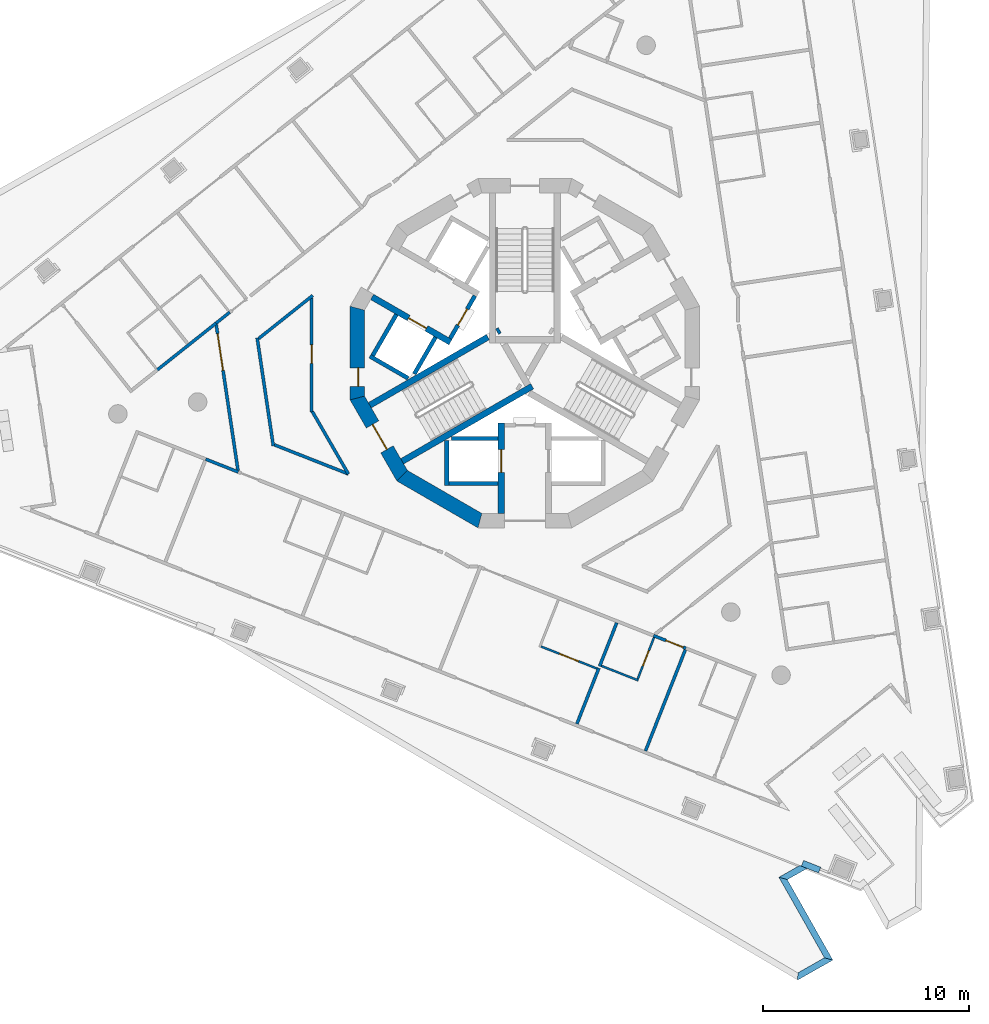
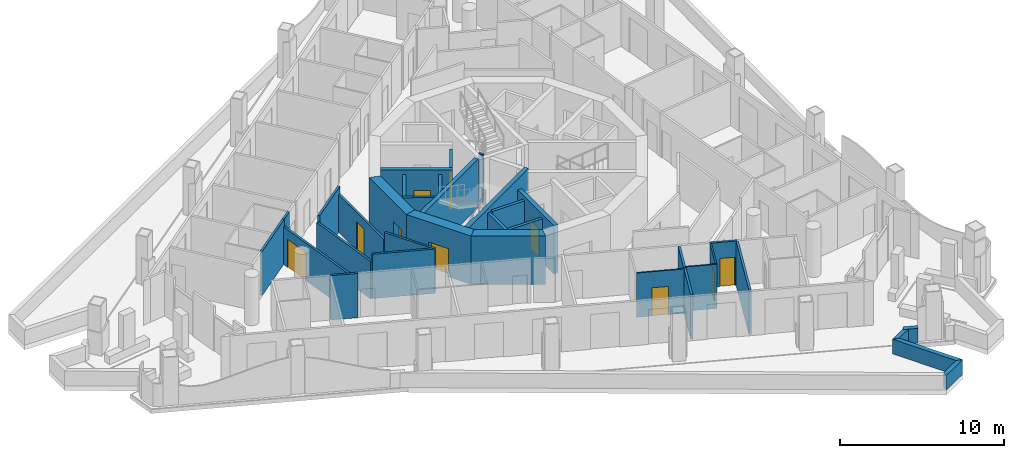
# One storey, part 3 of 16: 35 walls, 10 doors, 10 openings.
"""IFC4 building model written with IfcOpenShell, lengths in metres."""

from ifc_helpers import new_model, si_unit, direction, frame, frame_2d, origin, place, context, subcontext, project, spatial, polyline, rectangle, outline, extrude, material, layer, layer_set, type_object, element, fill, save


model = new_model("IFC4")

# Units and contexts
model_context = context("Model", 3, precision=1e-05, world=origin(), true_north=direction((0.0, 1.0)))
body_context = subcontext(model_context, "Body", "Model", "MODEL_VIEW")
ifc_project = project(units=[si_unit("LENGTHUNIT", "METRE"), si_unit("AREAUNIT", "SQUARE_METRE"), si_unit("VOLUMEUNIT", "CUBIC_METRE"), si_unit("PLANEANGLEUNIT", "RADIAN"), si_unit("MASSUNIT", "GRAM", prefix="KILO")], contexts=[model_context])

# Site, building, storey
site_placement = place(None, origin())
site = spatial("IfcSite", under=ifc_project, at=site_placement, CompositionType="ELEMENT")
building_placement = place(site_placement, origin())
building = spatial("IfcBuilding", under=site, at=building_placement, Name="Trine Commons Tower", CompositionType="ELEMENT")
storey_placement = place(building_placement, frame((0.0, 0.0, 198.0)))
storey = spatial("IfcBuildingStorey", under=building, at=storey_placement, Name="L51", CompositionType="ELEMENT", Elevation=198.0)

# Wall, opening, door
ifc_material_1 = material(Name="Fire-rated gypsum shaft wall system")
ifc_layer_1 = layer(ifc_material_1, 0.199951171875)
ifc_layer_set_1 = layer_set([ifc_layer_1], Name="Fire-rated gypsum shaft wall system")
wall_type_1 = type_object("IfcWallType", Name="Lobby end wall 200 mm, EI 120", PredefinedType="PARTITIONING", material=ifc_layer_set_1)
wall_1_placement = place(storey_placement, frame((77.569091796875, 65.2890625, 0.0), z_axis=(0.0, 0.0, 1.0), x_axis=(-0.50012165622, -0.865955154139, 0.0)))
wall_1 = element("IfcWall", 1, at=wall_1_placement, inside=storey, type_object=wall_type_1, Name="Lobby end wall L51", PredefinedType="PARTITIONING", context=body_context, shape_type="SweptSolid", body=[
    extrude(rectangle(XDim=2.39990234375, YDim=0.199951171875, at=frame_2d((1.199951171875, 0.0))), origin(), (0.0, 0.0, 1.0), 3.300048828125),
])
opening_1_placement = place(wall_1_placement, frame((0.749755859375, 0.0, 0.0)))
opening_1 = element("IfcOpeningElement", 2, at=opening_1_placement, cuts=wall_1, Name="Opening K15.07", PredefinedType="OPENING", context=body_context, shape_type="SweptSolid", body=[
    extrude(rectangle(XDim=0.89990234375, YDim=2.10009765625, at=frame_2d((0.449951171875, 1.050048828125))), frame((0.0, 0.10986328125, 0.0), z_axis=(0.0, -1.0, 0.0), x_axis=(1.0, 0.0, 0.0)), (0.0, 0.0, 1.0), 0.219970703125),
])
ifc_material_2 = material(Name="Steel door leaf, fire-rated", Category="steel")
door_type_1 = type_object("IfcDoorType", Name="Riser access door, single leaf 900 x 2100, FD60", OperationType="SINGLE_SWING_LEFT", PredefinedType="DOOR", material=ifc_material_2)
door_1_placement = place(opening_1_placement, frame((0.89990234375, 0.0, 0.0), z_axis=(0.0, 0.0, 1.0), x_axis=(-1.0, 0.0, 0.0)))
door_1 = element("IfcDoor", 3, at=door_1_placement, inside=storey, type_object=door_type_1, Name="Riser door, Mechanical riser L51", OperationType="SINGLE_SWING_RIGHT", OverallHeight=2.10009765625, OverallWidth=0.89990234375, PredefinedType="DOOR", context=body_context, shape_type="SweptSolid", body=[
    extrude(rectangle(XDim=0.89990234375, YDim=2.10009765625, at=frame_2d((0.449951171875, 1.050048828125))), frame((0.0, 0.02490234375, 0.0), z_axis=(0.0, -1.0, 0.0), x_axis=(1.0, 0.0, 0.0)), (0.0, 0.0, 1.0), 0.050048828125),
])
fill(opening_1, door_1)

ifc_material_3 = material(Name="Concrete C60/75", Category="concrete")
ifc_layer_2 = layer(ifc_material_3, 0.300048828125)
ifc_layer_set_2 = layer_set([ifc_layer_2], Name="Concrete C60/75")
wall_type_2 = type_object("IfcWallType", Name="RC shear wall 300 mm, C60/75", PredefinedType="SHEAR", material=ifc_layer_set_2)
wall_2_placement = place(storey_placement, frame((76.381103515625, 63.031005859375, 0.0), z_axis=(0.0, 0.0, 1.0), x_axis=(-0.866059941101, 0.499940174841, 0.0)))
wall_2 = element("IfcWall", 4, at=wall_2_placement, inside=storey, type_object=wall_type_2, Name="Core cross wall SWC-01 L51", PredefinedType="SHEAR", context=body_context, shape_type="SweptSolid", body=[
    extrude(rectangle(XDim=4.400390625, YDim=0.300048828125, at=frame_2d((2.2001953125, 0.0))), origin(), (0.0, 0.0, 1.0), 3.60009765625),
])
opening_2_placement = place(wall_2_placement, frame((1.350341796875, 0.0, 0.0)))
opening_2 = element("IfcOpeningElement", 5, at=opening_2_placement, cuts=wall_2, Name="Opening LD7", PredefinedType="OPENING", context=body_context, shape_type="SweptSolid", body=[
    extrude(rectangle(XDim=1.0, YDim=2.10009765625, at=frame_2d((0.5, 1.050048828125))), frame((0.0, 0.159912109375, 0.0), z_axis=(0.0, -1.0, 0.0), x_axis=(1.0, 0.0, 0.0)), (0.0, 0.0, 1.0), 0.320068359375),
])
ifc_material_4 = material(Name="Stainless steel sliding door leaves", Category="steel")
door_type_2 = type_object("IfcDoorType", Name="Lift landing door, centre-opening sliding 1000 x 2100, FD90", OperationType="DOUBLE_DOOR_SLIDING", PredefinedType="DOOR", material=ifc_material_4)
door_2_placement = place(opening_2_placement, origin())
door_2 = element("IfcDoor", 6, at=door_2_placement, inside=storey, type_object=door_type_2, Name="Lift landing door HR3 L51", OperationType="DOUBLE_DOOR_SLIDING", OverallHeight=2.10009765625, OverallWidth=1.0, PredefinedType="DOOR", context=body_context, shape_type="SweptSolid", body=[
    extrude(rectangle(XDim=1.0, YDim=2.10009765625, at=frame_2d((0.5, 1.050048828125))), frame((0.0, 0.02490234375, 0.0), z_axis=(0.0, -1.0, 0.0), x_axis=(1.0, 0.0, 0.0)), (0.0, 0.0, 1.0), 0.050048828125),
])
fill(opening_2, door_2)

wall_3_placement = place(storey_placement, frame((78.85009765625, 59.10009765625, 0.0), z_axis=(0.0, 0.0, 1.0), x_axis=(0.0, -1.0, 0.0)))
wall_3 = element("IfcWall", 7, at=wall_3_placement, inside=storey, type_object=wall_type_2, Name="Core cross wall SWC-03 L51", PredefinedType="SHEAR", context=body_context, shape_type="SweptSolid", body=[
    extrude(rectangle(XDim=4.400146484375, YDim=0.300048828125, at=frame_2d((2.2001953125, 0.0))), origin(), (0.0, 0.0, 1.0), 3.60009765625),
])
opening_3_placement = place(wall_3_placement, frame((1.300048828125, 0.0, 0.0)))
opening_3 = element("IfcOpeningElement", 8, at=opening_3_placement, cuts=wall_3, Name="Opening LD10", PredefinedType="OPENING", context=body_context, shape_type="SweptSolid", body=[
    extrude(rectangle(XDim=1.10009765625, YDim=2.10009765625, at=frame_2d((0.550048828125, 1.050048828125))), frame((0.0, 0.159912109375, 0.0), z_axis=(0.0, -1.0, 0.0), x_axis=(1.0, 0.0, 0.0)), (0.0, 0.0, 1.0), 0.320068359375),
])
door_type_3 = type_object("IfcDoorType", Name="Lift landing door, centre-opening sliding 1100 x 2100, FD90", OperationType="DOUBLE_DOOR_SLIDING", PredefinedType="DOOR", material=ifc_material_4)
door_3_placement = place(opening_3_placement, origin())
door_3 = element("IfcDoor", 9, at=door_3_placement, inside=storey, type_object=door_type_3, Name="Lift landing door FF2 L51", OperationType="DOUBLE_DOOR_SLIDING", OverallHeight=2.10009765625, OverallWidth=1.10009765625, PredefinedType="DOOR", context=body_context, shape_type="SweptSolid", body=[
    extrude(rectangle(XDim=1.10009765625, YDim=2.10009765625, at=frame_2d((0.550048828125, 1.050048828125))), frame((0.0, 0.02490234375, 0.0), z_axis=(0.0, -1.0, 0.0), x_axis=(1.0, 0.0, 0.0)), (0.0, 0.0, 1.0), 0.050048828125),
])
fill(opening_3, door_3)

# Walls
wall_4_placement = place(storey_placement, frame((78.199951171875, 63.280029296875, 0.0), z_axis=(0.0, 0.0, 1.0), x_axis=(-0.866009627307, -0.500027324665, 0.0)))
element("IfcWall", 10, at=wall_4_placement, inside=storey, type_object=wall_type_2, Name="Core cross wall SWC-07 L51", PredefinedType="SHEAR", context=body_context, shape_type="SweptSolid", body=[
    extrude(rectangle(XDim=6.631591796875, YDim=0.300048828125, at=frame_2d((3.31591796875, 0.0))), origin(), (0.0, 0.0, 1.0), 3.60009765625),
])
wall_5_placement = place(storey_placement, frame((78.779052734375, 63.614013671875, 0.0), z_axis=(0.0, 0.0, 1.0), x_axis=(-0.867737973955, -0.497021939713, 0.0)))
element("IfcWall", 11, at=wall_5_placement, inside=storey, type_object=wall_type_2, Name="Core cross wall SWC-09 L51", PredefinedType="SHEAR", context=body_context, shape_type="SweptSolid", body=[
    extrude(rectangle(XDim=0.14892578125, YDim=0.300048828125, at=frame_2d((0.074462890625, 0.0))), origin(), (0.0, 0.0, 1.0), 3.60009765625),
])
wall_6_placement = place(storey_placement, frame((80.35400390625, 60.885986328125, 0.0), z_axis=(0.0, 0.0, 1.0), x_axis=(-0.866032430508, -0.49998782916, 0.0)))
element("IfcWall", 12, at=wall_6_placement, inside=storey, type_object=wall_type_2, Name="Core cross wall SWC-14 L51", PredefinedType="SHEAR", context=body_context, shape_type="SweptSolid", body=[
    extrude(rectangle(XDim=7.300048828125, YDim=0.300048828125, at=frame_2d((3.64990234375, 0.0))), origin(), (0.0, 0.0, 1.0), 3.60009765625),
])

# Wall, opening, door
ifc_layer_3 = layer(ifc_material_3, 0.699951171875)
ifc_layer_set_3 = layer_set([ifc_layer_3], Name="Concrete C60/75")
wall_type_3 = type_object("IfcWallType", Name="RC shear wall 700 mm, C60/75", PredefinedType="SHEAR", material=ifc_layer_set_3)
wall_7_placement = place(storey_placement, frame((71.849853515625, 64.777587890625, 0.0), z_axis=(0.0, 0.0, 1.0), x_axis=(0.0, -1.0, 0.0)))
wall_7 = element("IfcWall", 13, at=wall_7_placement, inside=storey, type_object=wall_type_3, Name="Core wall CWF-07 L51", PredefinedType="SHEAR", context=body_context, shape_type="SweptSolid", body=[
    extrude(outline(polyline([(0.0, -0.35009765625), (4.55517578125, -0.35009765625), (4.36767578125, 0.35009765625), (0.1875, 0.35009765625), (0.0, -0.35009765625)])), origin(), (0.0, 0.0, 1.0), 3.60009765625),
])
opening_4_placement = place(wall_7_placement, frame((2.99169921875, 0.0, 0.0)))
opening_4 = element("IfcOpeningElement", 14, at=opening_4_placement, cuts=wall_7, Name="Opening K15.16", PredefinedType="OPENING", context=body_context, shape_type="SweptSolid", body=[
    extrude(rectangle(XDim=0.89990234375, YDim=2.10009765625, at=frame_2d((0.449951171875, 1.050048828125))), frame((0.0, 0.35986328125, 0.0), z_axis=(0.0, -1.0, 0.0), x_axis=(1.0, 0.0, 0.0)), (0.0, 0.0, 1.0), 0.719970703125),
])
door_type_4 = type_object("IfcDoorType", Name="Core room door, single leaf 900 x 2100, FD30S", OperationType="SINGLE_SWING_LEFT", PredefinedType="DOOR", material=ifc_material_2)
door_4_placement = place(opening_4_placement, origin())
door_4 = element("IfcDoor", 15, at=door_4_placement, inside=storey, type_object=door_type_4, Name="Door to Pantry L51", OperationType="SINGLE_SWING_RIGHT", OverallHeight=2.10009765625, OverallWidth=0.89990234375, PredefinedType="DOOR", context=body_context, shape_type="SweptSolid", body=[
    extrude(rectangle(XDim=0.89990234375, YDim=2.10009765625, at=frame_2d((0.449951171875, 1.050048828125))), frame((0.0, 0.0751953125, 0.0), z_axis=(0.0, -1.0, 0.0), x_axis=(1.0, 0.0, 0.0)), (0.0, 0.0, 1.0), 0.050048828125),
])
fill(opening_4, door_4)

wall_8_placement = place(storey_placement, frame((71.802978515625, 60.3974609375, 0.0), z_axis=(0.0, 0.0, 1.0), x_axis=(0.499983800959, -0.866034756103, 0.0)))
wall_8 = element("IfcWall", 16, at=wall_8_placement, inside=storey, type_object=wall_type_3, Name="Core wall CWF-08 L51", PredefinedType="SHEAR", context=body_context, shape_type="SweptSolid", body=[
    extrude(outline(polyline([(0.0, -0.35009765625), (4.55517578125, -0.35009765625), (4.36767578125, 0.35009765625), (0.1875, 0.35009765625), (0.0, -0.35009765625)])), origin(), (0.0, 0.0, 1.0), 3.60009765625),
])
opening_5_placement = place(wall_8_placement, frame((1.577392578125, 0.0, 0.0)))
opening_5 = element("IfcOpeningElement", 17, at=opening_5_placement, cuts=wall_8, Name="Opening K15.02", PredefinedType="OPENING", context=body_context, shape_type="SweptSolid", body=[
    extrude(rectangle(XDim=1.39990234375, YDim=2.10009765625, at=frame_2d((0.699951171875, 1.050048828125))), frame((0.0, 0.35986328125, 0.0), z_axis=(0.0, -1.0, 0.0), x_axis=(1.0, 0.0, 0.0)), (0.0, 0.0, 1.0), 0.719970703125),
])
ifc_material_5 = material(Name="Steel door leaves, fire-rated", Category="steel")
door_type_5 = type_object("IfcDoorType", Name="Stair door, double leaf 1400 x 2100, FD90", OperationType="DOUBLE_DOOR_SINGLE_SWING", PredefinedType="DOOR", material=ifc_material_5)
door_5_placement = place(opening_5_placement, origin())
door_5 = element("IfcDoor", 18, at=door_5_placement, inside=storey, type_object=door_type_5, Name="Stair door to Exit stair ST2C L51", OperationType="DOUBLE_DOOR_SINGLE_SWING", OverallHeight=2.10009765625, OverallWidth=1.39990234375, PredefinedType="DOOR", context=body_context, shape_type="SweptSolid", body=[
    extrude(rectangle(XDim=1.39990234375, YDim=2.10009765625, at=frame_2d((0.699951171875, 1.050048828125))), frame((0.0, 0.02490234375, 0.0), z_axis=(0.0, -1.0, 0.0), x_axis=(1.0, 0.0, 0.0)), (0.0, 0.0, 1.0), 0.050048828125),
])
fill(opening_5, door_5)

# Walls
wall_9_placement = place(storey_placement, frame((73.952392578125, 56.58056640625, 0.0), z_axis=(0.0, 0.0, 1.0), x_axis=(0.866034756103, -0.499983800959, 0.0)))
element("IfcWall", 19, at=wall_9_placement, inside=storey, type_object=wall_type_3, Name="Core wall CWF-09 L51", PredefinedType="SHEAR", context=body_context, shape_type="SweptSolid", body=[
    extrude(outline(polyline([(0.0, -0.35009765625), (4.55517578125, -0.35009765625), (4.36767578125, 0.35009765625), (0.1875, 0.35009765625), (0.0, -0.35009765625)])), origin(), (0.0, 0.0, 1.0), 3.60009765625),
])
ifc_layer_4 = layer(ifc_material_1, 0.199951171875)
ifc_layer_set_4 = layer_set([ifc_layer_4], Name="Fire-rated gypsum shaft wall system")
wall_type_4 = type_object("IfcWallType", Name="Shaft wall 200 mm, EI 120", PredefinedType="PARTITIONING", material=ifc_layer_set_4)
wall_10_placement = place(storey_placement, frame((73.7509765625, 64.3759765625, 0.0), z_axis=(0.0, 0.0, 1.0), x_axis=(-0.500136062276, -0.86594683394, 0.0)))
element("IfcWall", 20, at=wall_10_placement, inside=storey, type_object=wall_type_4, Name="Shaft wall L51", PredefinedType="PARTITIONING", context=body_context, shape_type="SweptSolid", body=[
    extrude(rectangle(XDim=2.299072265625, YDim=0.199951171875, at=frame_2d((1.1494140625, 0.0))), origin(), (0.0, 0.0, 1.0), 3.300048828125),
])
wall_11_placement = place(storey_placement, frame((74.324951171875, 61.27392578125, 0.0), z_axis=(0.0, 0.0, 1.0), x_axis=(-0.866102336459, 0.499866725018, 0.0)))
element("IfcWall", 21, at=wall_11_placement, inside=storey, type_object=wall_type_4, Name="Shaft wall L51", PredefinedType="PARTITIONING", context=body_context, shape_type="SweptSolid", body=[
    extrude(rectangle(XDim=2.1484375, YDim=0.199951171875, at=frame_2d((1.07421875, 0.0))), origin(), (0.0, 0.0, 1.0), 3.300048828125),
])
wall_12_placement = place(storey_placement, frame((75.656005859375, 63.27587890625, 0.0), z_axis=(0.0, 0.0, 1.0), x_axis=(-0.500271688072, -0.86586848777, 0.0)))
element("IfcWall", 22, at=wall_12_placement, inside=storey, type_object=wall_type_4, Name="Shaft wall L51", PredefinedType="PARTITIONING", context=body_context, shape_type="SweptSolid", body=[
    extrude(rectangle(XDim=2.064697265625, YDim=0.199951171875, at=frame_2d((1.0322265625, 0.0))), origin(), (0.0, 0.0, 1.0), 3.300048828125),
])
wall_13_placement = place(storey_placement, frame((76.199951171875, 58.257080078125, 0.0), z_axis=(0.0, 0.0, 1.0), x_axis=(0.0, -1.0, 0.0)))
element("IfcWall", 23, at=wall_13_placement, inside=storey, type_object=wall_type_4, Name="Shaft wall L51", PredefinedType="PARTITIONING", context=body_context, shape_type="SweptSolid", body=[
    extrude(rectangle(XDim=2.20703125, YDim=0.199951171875, at=frame_2d((1.103515625, 0.0))), origin(), (0.0, 0.0, 1.0), 3.300048828125),
])
wall_14_placement = place(storey_placement, frame((78.699951171875, 56.14990234375, 0.0), z_axis=(0.0, 0.0, 1.0), x_axis=(-1.0, 0.0, 0.0)))
element("IfcWall", 24, at=wall_14_placement, inside=storey, type_object=wall_type_4, Name="Shaft wall L51", PredefinedType="PARTITIONING", context=body_context, shape_type="SweptSolid", body=[
    extrude(rectangle(XDim=2.39990234375, YDim=0.199951171875, at=frame_2d((1.199951171875, 0.0))), origin(), (0.0, 0.0, 1.0), 3.300048828125),
])
wall_15_placement = place(storey_placement, frame((78.699951171875, 58.35009765625, 0.0), z_axis=(0.0, 0.0, 1.0), x_axis=(-1.0, 0.0, 0.0)))
element("IfcWall", 25, at=wall_15_placement, inside=storey, type_object=wall_type_4, Name="Shaft wall L51", PredefinedType="PARTITIONING", context=body_context, shape_type="SweptSolid", body=[
    extrude(rectangle(XDim=2.264892578125, YDim=0.199951171875, at=frame_2d((1.13232421875, 0.0))), origin(), (0.0, 0.0, 1.0), 3.300048828125),
])
ifc_material_6 = material(Name="Limestone, honed", Category="masonry")
ifc_layer_5 = layer(ifc_material_6, 0.300048828125)
ifc_layer_set_5 = layer_set([ifc_layer_5], Name="Limestone, honed")
wall_type_5 = type_object("IfcWallType", Name="Stone parapet 300", PredefinedType="PARAPET", material=ifc_layer_set_5)
wall_16_placement = place(storey_placement, origin())
element("IfcWall", 26, at=wall_16_placement, inside=storey, type_object=wall_type_5, Name="Sliver roof parapet L50 3.2", PredefinedType="PARAPET", context=body_context, shape_type="SweptSolid", body=[
    extrude(outline(polyline([(93.27197265625, 32.007080078125), (94.9814453125, 32.974365234375), (94.572509765625, 33.087646484375), (93.27490234375, 32.353515625), (93.27197265625, 32.007080078125)])), origin(), (0.0, 0.0, 1.0), 1.10009765625),
])
wall_17_placement = place(storey_placement, origin())
element("IfcWall", 27, at=wall_17_placement, inside=storey, type_object=wall_type_5, Name="Sliver roof parapet L50 3.3", PredefinedType="PARAPET", context=body_context, shape_type="SweptSolid", body=[
    extrude(outline(polyline([(94.9814453125, 32.974365234375), (92.765380859375, 36.890869140625), (92.356689453125, 37.00439453125), (94.572509765625, 33.087646484375), (94.9814453125, 32.974365234375)])), origin(), (0.0, 0.0, 1.0), 1.10009765625),
])
wall_18_placement = place(storey_placement, origin())
element("IfcWall", 28, at=wall_18_placement, inside=storey, type_object=wall_type_5, Name="Sliver roof parapet L50 3.4", PredefinedType="PARAPET", context=body_context, shape_type="SweptSolid", body=[
    extrude(outline(polyline([(92.765380859375, 36.890869140625), (93.7265625, 37.4345703125), (93.367431640625, 37.576171875), (92.356689453125, 37.00439453125), (92.765380859375, 36.890869140625)])), origin(), (0.0, 0.0, 1.0), 1.10009765625),
])
wall_19_placement = place(storey_placement, origin())
element("IfcWall", 29, at=wall_19_placement, inside=storey, type_object=wall_type_5, Name="Sliver roof parapet extension L50 3.X2", PredefinedType="PARAPET", context=body_context, shape_type="SweptSolid", body=[
    extrude(outline(polyline([(93.557373046875, 37.82373046875), (93.447509765625, 37.544677734375), (94.284912109375, 37.214599609375), (94.394775390625, 37.493896484375), (93.557373046875, 37.82373046875)])), origin(), (0.0, 0.0, 1.0), 1.10009765625),
])
ifc_material_7 = material(Name="Gypsum plasterboard on steel stud", Category="steel")
ifc_layer_6 = layer(ifc_material_7, 0.14990234375)
ifc_layer_set_6 = layer_set([ifc_layer_6], Name="Gypsum plasterboard on steel stud")
wall_type_6 = type_object("IfcWallType", Name="Unit and corridor wall 150 mm, EI 60", PredefinedType="PARTITIONING", material=ifc_layer_set_6)
wall_20_placement = place(storey_placement, frame((62.078857421875, 61.64990234375, 0.0), z_axis=(0.0, 0.0, 1.0), x_axis=(0.782654359685, 0.622456547291, 0.0)))
element("IfcWall", 30, at=wall_20_placement, inside=storey, type_object=wall_type_6, Name="Partition 011", PredefinedType="PARTITIONING", context=body_context, shape_type="SweptSolid", body=[
    extrude(rectangle(XDim=3.701904296875, YDim=0.14990234375, at=frame_2d((1.85107421875, 0.0))), origin(), (0.0, 0.0, 1.0), 3.300048828125),
])
wall_21_placement = place(storey_placement, frame((64.47802734375, 57.340087890625, 0.0), z_axis=(0.0, 0.0, 1.0), x_axis=(0.930289512217, -0.366826148822, 0.0)))
element("IfcWall", 31, at=wall_21_placement, inside=storey, type_object=wall_type_6, Name="Partition 016", PredefinedType="PARTITIONING", context=body_context, shape_type="SweptSolid", body=[
    extrude(rectangle(XDim=1.698486328125, YDim=0.14990234375, at=frame_2d((0.84912109375, 0.0))), origin(), (0.0, 0.0, 1.0), 3.300048828125),
])
wall_22_placement = place(storey_placement, frame((64.97607421875, 63.9541015625, 0.0), z_axis=(0.0, 0.0, 1.0), x_axis=(0.78256315963, 0.622571201703, 0.0)))
element("IfcWall", 32, at=wall_22_placement, inside=storey, type_object=wall_type_6, Name="Partition 017", PredefinedType="PARTITIONING", context=body_context, shape_type="SweptSolid", body=[
    extrude(rectangle(XDim=0.85595703125, YDim=0.14990234375, at=frame_2d((0.427978515625, 0.0))), origin(), (0.0, 0.0, 1.0), 3.300048828125),
])

# Wall, opening, door
wall_23_placement = place(storey_placement, frame((64.987060546875, 63.8798828125, 0.0), z_axis=(0.0, 0.0, 1.0), x_axis=(0.147865724858, -0.98900744558, 0.0)))
wall_23 = element("IfcWall", 33, at=wall_23_placement, inside=storey, type_object=wall_type_6, Name="Partition 018", PredefinedType="PARTITIONING", context=body_context, shape_type="SweptSolid", body=[
    extrude(rectangle(XDim=7.16748046875, YDim=0.14990234375, at=frame_2d((3.583740234375, 0.0))), origin(), (0.0, 0.0, 1.0), 2.800048828125),
])
opening_6_placement = place(wall_23_placement, frame((0.44677734375, 0.0, 0.0)))
opening_6 = element("IfcOpeningElement", 34, at=opening_6_placement, cuts=wall_23, Name="Opening D-6A03", PredefinedType="OPENING", context=body_context, shape_type="SweptSolid", body=[
    extrude(rectangle(XDim=1.800048828125, YDim=2.10009765625, at=frame_2d((0.89990234375, 1.050048828125))), frame((0.0, 0.0849609375, 0.0), z_axis=(0.0, -1.0, 0.0), x_axis=(1.0, 0.0, 0.0)), (0.0, 0.0, 1.0), 0.169921875),
])
ifc_material_8 = material(Name="Timber fire door set", Category="wood")
door_type_6 = type_object("IfcDoorType", Name="Cluster entrance door 1800 x 2100, double leaf, FD30S", OperationType="DOUBLE_DOOR_DOUBLE_SWING", PredefinedType="DOOR", material=ifc_material_8)
door_6_placement = place(opening_6_placement, frame((1.800048828125, 0.0, 0.0), z_axis=(0.0, 0.0, 1.0), x_axis=(-1.0, 0.0, 0.0)))
door_6 = element("IfcDoor", 35, at=door_6_placement, inside=storey, type_object=door_type_6, Name="Door D-6A03", OperationType="DOUBLE_DOOR_DOUBLE_SWING", OverallHeight=2.10009765625, OverallWidth=1.800048828125, PredefinedType="DOOR", context=body_context, shape_type="SweptSolid", body=[
    extrude(rectangle(XDim=1.800048828125, YDim=2.10009765625, at=frame_2d((0.89990234375, 1.050048828125))), frame((0.0, 0.02490234375, 0.0), z_axis=(0.0, -1.0, 0.0), x_axis=(1.0, 0.0, 0.0)), (0.0, 0.0, 1.0), 0.050048828125),
])
fill(opening_6, door_6)

# Walls
wall_24_placement = place(storey_placement, frame((66.97998046875, 63.234130859375, 0.0), z_axis=(0.0, 0.0, 1.0), x_axis=(0.14773017043, -0.989027702719, 0.0)))
element("IfcWall", 36, at=wall_24_placement, inside=storey, type_object=wall_type_6, Name="Partition 024", PredefinedType="PARTITIONING", context=body_context, shape_type="SweptSolid", body=[
    extrude(rectangle(XDim=5.301513671875, YDim=0.14990234375, at=frame_2d((2.65087890625, 0.0))), origin(), (0.0, 0.0, 1.0), 2.800048828125),
])
wall_25_placement = place(storey_placement, frame((67.0498046875, 63.206787109375, 0.0), z_axis=(0.0, 0.0, 1.0), x_axis=(0.782472540885, 0.622685091166, 0.0)))
element("IfcWall", 37, at=wall_25_placement, inside=storey, type_object=wall_type_6, Name="Partition 025", PredefinedType="PARTITIONING", context=body_context, shape_type="SweptSolid", body=[
    extrude(rectangle(XDim=3.365966796875, YDim=0.14990234375, at=frame_2d((1.68310546875, 0.0))), origin(), (0.0, 0.0, 1.0), 3.300048828125),
])
wall_26_placement = place(storey_placement, frame((67.82177734375, 58.03759765625, 0.0), z_axis=(0.0, 0.0, 1.0), x_axis=(0.930426693307, -0.366478059892, 0.0)))
element("IfcWall", 38, at=wall_26_placement, inside=storey, type_object=wall_type_6, Name="Partition 026", PredefinedType="PARTITIONING", context=body_context, shape_type="SweptSolid", body=[
    extrude(rectangle(XDim=3.85986328125, YDim=0.14990234375, at=frame_2d((1.929931640625, 0.0))), origin(), (0.0, 0.0, 1.0), 3.300048828125),
])

# Wall, opening, door
wall_27_placement = place(storey_placement, frame((69.625, 59.64501953125, 0.0), z_axis=(0.0, 0.0, 1.0), x_axis=(0.0, 1.0, 0.0)))
wall_27 = element("IfcWall", 39, at=wall_27_placement, inside=storey, type_object=wall_type_6, Name="Partition 032", PredefinedType="PARTITIONING", context=body_context, shape_type="SweptSolid", body=[
    extrude(rectangle(XDim=5.5400390625, YDim=0.14990234375, at=frame_2d((2.77001953125, 0.0))), origin(), (0.0, 0.0, 1.0), 2.800048828125),
])
opening_7_placement = place(wall_27_placement, frame((2.357421875, 0.0, 0.0)))
opening_7 = element("IfcOpeningElement", 40, at=opening_7_placement, cuts=wall_27, Name="Opening D-6A28", PredefinedType="OPENING", context=body_context, shape_type="SweptSolid", body=[
    extrude(rectangle(XDim=0.89990234375, YDim=2.10009765625, at=frame_2d((0.449951171875, 1.050048828125))), frame((0.0, 0.0849609375, 0.0), z_axis=(0.0, -1.0, 0.0), x_axis=(1.0, 0.0, 0.0)), (0.0, 0.0, 1.0), 0.169921875),
])
door_type_7 = type_object("IfcDoorType", Name="Service door 900 x 2100, FD30S", OperationType="NOTDEFINED", PredefinedType="DOOR", material=ifc_material_8)
door_7_placement = place(opening_7_placement, origin())
door_7 = element("IfcDoor", 41, at=door_7_placement, inside=storey, type_object=door_type_7, Name="Door D-6A28", OperationType="SINGLE_SWING_RIGHT", OverallHeight=2.10009765625, OverallWidth=0.89990234375, PredefinedType="DOOR", context=body_context, shape_type="SweptSolid", body=[
    extrude(rectangle(XDim=0.89990234375, YDim=2.10009765625, at=frame_2d((0.449951171875, 1.050048828125))), frame((0.0, 0.02490234375, 0.0), z_axis=(0.0, -1.0, 0.0), x_axis=(1.0, 0.0, 0.0)), (0.0, 0.0, 1.0), 0.050048828125),
])
fill(opening_7, door_7)

# Walls
wall_28_placement = place(storey_placement, frame((69.66259765625, 59.655029296875, 0.0), z_axis=(0.0, 0.0, 1.0), x_axis=(0.50005009493, -0.865996479531, 0.0)))
element("IfcWall", 42, at=wall_28_placement, inside=storey, type_object=wall_type_6, Name="Partition 033", PredefinedType="PARTITIONING", context=body_context, shape_type="SweptSolid", body=[
    extrude(rectangle(XDim=3.504638671875, YDim=0.14990234375, at=frame_2d((1.75244140625, 0.0))), origin(), (0.0, 0.0, 1.0), 3.300048828125),
])
wall_29_placement = place(storey_placement, frame((82.53173828125, 44.46728515625, 0.0), z_axis=(0.0, 0.0, 1.0), x_axis=(0.366805887966, 0.9302975011, 0.0)))
element("IfcWall", 43, at=wall_29_placement, inside=storey, type_object=wall_type_6, Name="Partition 064", PredefinedType="PARTITIONING", context=body_context, shape_type="SweptSolid", body=[
    extrude(rectangle(XDim=2.913330078125, YDim=0.14990234375, at=frame_2d((1.45654296875, 0.0))), origin(), (0.0, 0.0, 1.0), 3.300048828125),
])
wall_30_placement = place(storey_placement, frame((83.6357421875, 47.267578125, 0.0), z_axis=(0.0, 0.0, 1.0), x_axis=(0.366482291334, 0.930425026608, 0.0)))
element("IfcWall", 44, at=wall_30_placement, inside=storey, type_object=wall_type_6, Name="Partition 072", PredefinedType="PARTITIONING", context=body_context, shape_type="SweptSolid", body=[
    extrude(rectangle(XDim=2.27490234375, YDim=0.14990234375, at=frame_2d((1.137451171875, 0.0))), origin(), (0.0, 0.0, 1.0), 3.300048828125),
])
wall_31_placement = place(storey_placement, frame((85.86865234375, 43.152099609375, 0.0), z_axis=(0.0, 0.0, 1.0), x_axis=(0.366408201445, 0.930454206242, 0.0)))
element("IfcWall", 45, at=wall_31_placement, inside=storey, type_object=wall_type_6, Name="Partition 080", PredefinedType="PARTITIONING", context=body_context, shape_type="SweptSolid", body=[
    extrude(rectangle(XDim=5.285888671875, YDim=0.14990234375, at=frame_2d((2.64306640625, 0.0))), origin(), (0.0, 0.0, 1.0), 3.300048828125),
])

# Wall, opening, door
wall_32_placement = place(storey_placement, frame((86.261474609375, 48.75927734375, 0.0), z_axis=(0.0, 0.0, 1.0), x_axis=(0.930348637747, -0.366676168085, 0.0)))
wall_32 = element("IfcWall", 46, at=wall_32_placement, inside=storey, type_object=wall_type_6, Name="Partition 083", PredefinedType="PARTITIONING", context=body_context, shape_type="SweptSolid", body=[
    extrude(rectangle(XDim=1.689208984375, YDim=0.14990234375, at=frame_2d((0.8447265625, 0.0))), origin(), (0.0, 0.0, 1.0), 3.300048828125),
])
opening_8_placement = place(wall_32_placement, frame((0.63916015625, 0.0, 0.0)))
opening_8 = element("IfcOpeningElement", 47, at=opening_8_placement, cuts=wall_32, Name="Opening D-6A21", PredefinedType="OPENING", context=body_context, shape_type="SweptSolid", body=[
    extrude(rectangle(XDim=0.89990234375, YDim=2.10009765625, at=frame_2d((0.449951171875, 1.050048828125))), frame((0.0, 0.0849609375, 0.0), z_axis=(0.0, -1.0, 0.0), x_axis=(1.0, 0.0, 0.0)), (0.0, 0.0, 1.0), 0.169921875),
])
door_type_8 = type_object("IfcDoorType", Name="Bedroom door 900 x 2100, FD30S", OperationType="NOTDEFINED", PredefinedType="DOOR", material=ifc_material_8)
door_8_placement = place(opening_8_placement, frame((0.89990234375, 0.0, 0.0), z_axis=(0.0, 0.0, 1.0), x_axis=(-1.0, 0.0, 0.0)))
door_8 = element("IfcDoor", 48, at=door_8_placement, inside=storey, type_object=door_type_8, Name="Door D-6A21", OperationType="SINGLE_SWING_LEFT", OverallHeight=2.10009765625, OverallWidth=0.89990234375, PredefinedType="DOOR", context=body_context, shape_type="SweptSolid", body=[
    extrude(rectangle(XDim=0.89990234375, YDim=2.10009765625, at=frame_2d((0.449951171875, 1.050048828125))), frame((0.0, 0.02490234375, 0.0), z_axis=(0.0, -1.0, 0.0), x_axis=(1.0, 0.0, 0.0)), (0.0, 0.0, 1.0), 0.050048828125),
])
fill(opening_8, door_8)

ifc_layer_7 = layer(ifc_material_7, 0.10009765625)
ifc_layer_set_7 = layer_set([ifc_layer_7], Name="Gypsum plasterboard on steel stud")
wall_type_7 = type_object("IfcWallType", Name="Unit partition 100 mm, no rating", PredefinedType="PARTITIONING", material=ifc_layer_set_7)
wall_33_placement = place(storey_placement, frame((80.78857421875, 48.227783203125, 0.0), z_axis=(0.0, 0.0, 1.0), x_axis=(0.930398043032, -0.366550789827, 0.0)))
wall_33 = element("IfcWall", 49, at=wall_33_placement, inside=storey, type_object=wall_type_7, Name="Partition 060", PredefinedType="PARTITIONING", context=body_context, shape_type="SweptSolid", body=[
    extrude(rectangle(XDim=2.92529296875, YDim=0.10009765625, at=frame_2d((1.462646484375, 0.0))), origin(), (0.0, 0.0, 1.0), 3.300048828125),
])
opening_9_placement = place(wall_33_placement, frame((0.962646484375, 0.0, 0.0)))
opening_9 = element("IfcOpeningElement", 50, at=opening_9_placement, cuts=wall_33, Name="Opening D-6A42", PredefinedType="OPENING", context=body_context, shape_type="SweptSolid", body=[
    extrude(rectangle(XDim=1.0, YDim=2.10009765625, at=frame_2d((0.5, 1.050048828125))), frame((0.0, 0.06005859375, 0.0), z_axis=(0.0, -1.0, 0.0), x_axis=(1.0, 0.0, 0.0)), (0.0, 0.0, 1.0), 0.1201171875),
])
ifc_material_9 = material(Name="Painted timber", Category="wood")
door_type_9 = type_object("IfcDoorType", Name="Internal door 1000 x 2100, NOT RATED", OperationType="NOTDEFINED", PredefinedType="DOOR", material=ifc_material_9)
door_9_placement = place(opening_9_placement, frame((1.0, 0.0, 0.0), z_axis=(0.0, 0.0, 1.0), x_axis=(-1.0, 0.0, 0.0)))
door_9 = element("IfcDoor", 51, at=door_9_placement, inside=storey, type_object=door_type_9, Name="Door D-6A42", OperationType="SINGLE_SWING_LEFT", OverallHeight=2.10009765625, OverallWidth=1.0, PredefinedType="DOOR", context=body_context, shape_type="SweptSolid", body=[
    extrude(rectangle(XDim=1.0, YDim=2.10009765625, at=frame_2d((0.5, 1.050048828125))), frame((0.0, 0.02490234375, 0.0), z_axis=(0.0, -1.0, 0.0), x_axis=(1.0, 0.0, 0.0)), (0.0, 0.0, 1.0), 0.050048828125),
])
fill(opening_9, door_9)

# Wall
wall_34_placement = place(storey_placement, frame((83.723876953125, 47.28662109375, 0.0), z_axis=(0.0, 0.0, 1.0), x_axis=(0.930328407888, -0.36672749212, 0.0)))
element("IfcWall", 52, at=wall_34_placement, inside=storey, type_object=wall_type_7, Name="Partition 073", PredefinedType="PARTITIONING", context=body_context, shape_type="SweptSolid", body=[
    extrude(rectangle(XDim=1.924560546875, YDim=0.10009765625, at=frame_2d((0.96240234375, 0.0))), origin(), (0.0, 0.0, 1.0), 3.300048828125),
])

# Wall, opening, door
wall_35_placement = place(storey_placement, frame((85.486328125, 46.6455078125, 0.0), z_axis=(0.0, 0.0, 1.0), x_axis=(0.366489184141, 0.930422311592, 0.0)))
wall_35 = element("IfcWall", 53, at=wall_35_placement, inside=storey, type_object=wall_type_7, Name="Partition 079", PredefinedType="PARTITIONING", context=body_context, shape_type="SweptSolid", body=[
    extrude(rectangle(XDim=2.175048828125, YDim=0.10009765625, at=frame_2d((1.08740234375, 0.0))), origin(), (0.0, 0.0, 1.0), 3.300048828125),
])
opening_10_placement = place(wall_35_placement, frame((0.6875, 0.0, 0.0)))
opening_10 = element("IfcOpeningElement", 54, at=opening_10_placement, cuts=wall_35, Name="Opening D-6A41", PredefinedType="OPENING", context=body_context, shape_type="SweptSolid", body=[
    extrude(rectangle(XDim=0.800048828125, YDim=2.10009765625, at=frame_2d((0.39990234375, 1.050048828125))), frame((0.0, 0.06005859375, 0.0), z_axis=(0.0, -1.0, 0.0), x_axis=(1.0, 0.0, 0.0)), (0.0, 0.0, 1.0), 0.1201171875),
])
door_type_10 = type_object("IfcDoorType", Name="Internal door 800 x 2100, NOT RATED", OperationType="NOTDEFINED", PredefinedType="DOOR", material=ifc_material_9)
door_10_placement = place(opening_10_placement, frame((0.800048828125, 0.0, 0.0), z_axis=(0.0, 0.0, 1.0), x_axis=(-1.0, 0.0, 0.0)))
door_10 = element("IfcDoor", 55, at=door_10_placement, inside=storey, type_object=door_type_10, Name="Door D-6A41", OperationType="SINGLE_SWING_LEFT", OverallHeight=2.10009765625, OverallWidth=0.800048828125, PredefinedType="DOOR", context=body_context, shape_type="SweptSolid", body=[
    extrude(rectangle(XDim=0.800048828125, YDim=2.10009765625, at=frame_2d((0.39990234375, 1.050048828125))), frame((0.0, 0.02490234375, 0.0), z_axis=(0.0, -1.0, 0.0), x_axis=(1.0, 0.0, 0.0)), (0.0, 0.0, 1.0), 0.050048828125),
])
fill(opening_10, door_10)

save(model, "model.ifc")
